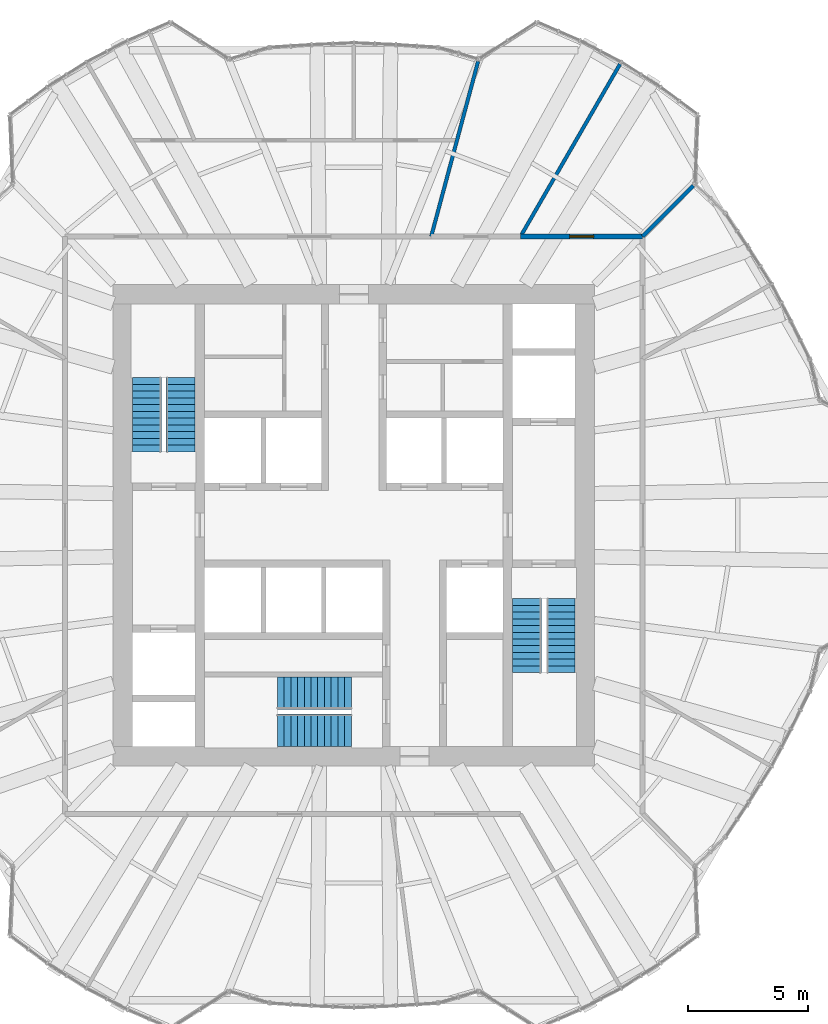
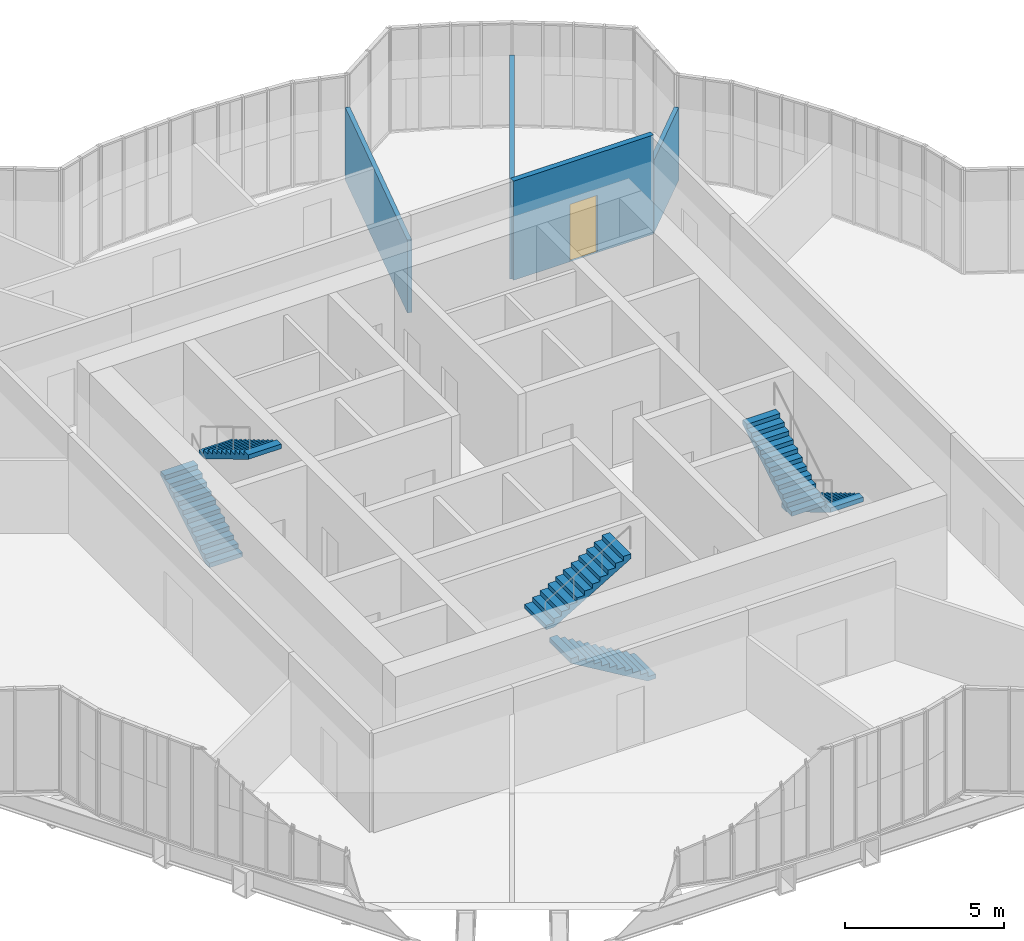
# One storey, part 23 of 24: 6 stair flights, 4 walls, 1 door, 1 opening, 3 elements without a shape of their own.
"""IFC4 building model written with IfcOpenShell, lengths in metres."""

from ifc_helpers import new_model, si_unit, direction, frame, frame_2d, origin, place, context, subcontext, project, spatial, polyline, rectangle, outline, extrude, material, layer, layer_set, type_object, element, fill, aggregate, save


model = new_model("IFC4")

# Units and contexts
model_context = context("Model", 3, precision=1e-05, world=origin(), true_north=direction((0.0, 1.0)))
body_context = subcontext(model_context, "Body", "Model", "MODEL_VIEW")
ifc_project = project(units=[si_unit("LENGTHUNIT", "METRE"), si_unit("AREAUNIT", "SQUARE_METRE"), si_unit("VOLUMEUNIT", "CUBIC_METRE"), si_unit("PLANEANGLEUNIT", "RADIAN"), si_unit("MASSUNIT", "GRAM", prefix="KILO")], contexts=[model_context])

# Site, building, storey
site_placement = place(None, origin())
site = spatial("IfcSite", under=ifc_project, at=site_placement, CompositionType="ELEMENT")
building_placement = place(site_placement, origin())
building = spatial("IfcBuilding", under=site, at=building_placement, Name="Golbaran Civic Tower", CompositionType="ELEMENT")
storey_placement = place(building_placement, frame((0.0, 0.0, 25.0)))
storey = spatial("IfcBuildingStorey", under=building, at=storey_placement, Name="L05", CompositionType="ELEMENT", Elevation=25.0)

# Wall, opening, door
ifc_material_1 = material(Name="Gypsum board on steel studs, fire-rated", Category="steel")
ifc_layer_1 = layer(ifc_material_1, 0.199951171875, Name="Gypsum board on steel studs, fire-rated")
ifc_layer_set_1 = layer_set([ifc_layer_1], Name="Gypsum board on steel studs, fire-rated")
wall_type_1 = type_object("IfcWallType", Name="CORRIDOR WALL 200", PredefinedType="PARTITIONING", material=ifc_layer_set_1)
wall_1_placement = place(storey_placement, frame((12.0, 12.0, 0.0), z_axis=(0.0, 0.0, 1.0), x_axis=(-1.0, 0.0, 0.0)))
wall_1 = element("IfcWall", 1, at=wall_1_placement, inside=storey, type_object=wall_type_1, Name="Corridor wall L05", PredefinedType="PARTITIONING", context=body_context, shape_type="SweptSolid", body=[
    extrude(rectangle(XDim=5.07177734375, YDim=0.199951171875, at=frame_2d((2.535888671875, 0.0))), origin(), (0.0, 0.0, 1.0), 3.800048828125),
])
opening_placement = place(wall_1_placement, frame((2.035888671875, 0.0, 0.0)))
opening = element("IfcOpeningElement", 2, at=opening_placement, cuts=wall_1, Name="Opening L05.07", PredefinedType="OPENING", context=body_context, shape_type="SweptSolid", body=[
    extrude(rectangle(XDim=1.0, YDim=2.199951171875, at=frame_2d((0.5, 1.10009765625))), frame((0.0, 0.10986328125, 0.0), z_axis=(0.0, -1.0, 0.0), x_axis=(1.0, 0.0, 0.0)), (0.0, 0.0, 1.0), 0.219970703125),
])
ifc_material_2 = material(Name="Timber door set in steel frame", Category="steel")
door_type = type_object("IfcDoorType", Name="OFFICE DOOR 1000x2200", OperationType="SINGLE_SWING_LEFT", PredefinedType="DOOR", material=ifc_material_2)
door_placement = place(opening_placement, origin())
door = element("IfcDoor", 3, at=door_placement, inside=storey, type_object=door_type, Name="Pantry door L05", OperationType="SINGLE_SWING_RIGHT", OverallHeight=2.199951171875, OverallWidth=1.0, PredefinedType="DOOR", context=body_context, shape_type="SweptSolid", body=[
    extrude(rectangle(XDim=1.0, YDim=2.199951171875, at=frame_2d((0.5, 1.10009765625))), frame((0.0, 0.02490234375, 0.0), z_axis=(0.0, -1.0, 0.0), x_axis=(1.0, 0.0, 0.0)), (0.0, 0.0, 1.0), 0.050048828125),
])
fill(opening, door)

# Walls
ifc_material_3 = material(Name="Gypsum board on steel studs", Category="steel")
ifc_layer_2 = layer(ifc_material_3, 0.14990234375, Name="Gypsum board on steel studs")
ifc_layer_set_2 = layer_set([ifc_layer_2], Name="Gypsum board on steel studs")
wall_type_2 = type_object("IfcWallType", Name="OFFICE PARTITION 150", PredefinedType="PARTITIONING", material=ifc_layer_set_2)
wall_2_placement = place(storey_placement, frame((12.0, 12.0, 0.0), z_axis=(0.0, 0.0, 1.0), x_axis=(0.707106781187, 0.707106781187, 0.0)))
element("IfcWall", 4, at=wall_2_placement, inside=storey, type_object=wall_type_2, Name="Partition 45 L05", PredefinedType="PARTITIONING", context=body_context, shape_type="SweptSolid", body=[
    extrude(rectangle(XDim=2.98486328125, YDim=0.14990234375, at=frame_2d((1.492431640625, 0.0))), origin(), (0.0, 0.0, 1.0), 2.7900390625),
])
wall_3_placement = place(storey_placement, frame((6.92822265625, 12.0, 0.0), z_axis=(0.0, 0.0, 1.0), x_axis=(0.499988970207, 0.866031771745, 0.0)))
element("IfcWall", 5, at=wall_3_placement, inside=storey, type_object=wall_type_2, Name="Partition 60 L05", PredefinedType="PARTITIONING", context=body_context, shape_type="SweptSolid", body=[
    extrude(rectangle(XDim=8.273193359375, YDim=0.14990234375, at=frame_2d((4.13671875, 0.0))), origin(), (0.0, 0.0, 1.0), 2.7900390625),
])
wall_4_placement = place(storey_placement, frame((3.21533203125, 12.0, 0.0), z_axis=(0.0, 0.0, 1.0), x_axis=(0.258814391452, 0.965927073219, 0.0)))
element("IfcWall", 6, at=wall_4_placement, inside=storey, type_object=wall_type_2, Name="Partition 75 L05", PredefinedType="PARTITIONING", context=body_context, shape_type="SweptSolid", body=[
    extrude(rectangle(XDim=7.5322265625, YDim=0.14990234375, at=frame_2d((3.76611328125, 0.0))), origin(), (0.0, 0.0, 1.0), 2.7900390625),
])

# Stair, stair flights
ifc_material_4 = material(Name="Concrete C35/45", Category="concrete")
stair_type_1 = type_object("IfcStairType", Name="EXIT STAIR 2600 x 7450, 4000 RISE", PredefinedType="HALF_TURN_STAIR", material=ifc_material_4)
stair_1_placement = place(storey_placement, origin())
stair_1 = element("IfcStair", 7, at=stair_1_placement, inside=storey, type_object=stair_type_1, Name="Stair S1 L05", PredefinedType="HALF_TURN_STAIR")
stair_flight_type_1 = type_object("IfcStairFlightType", Name="STAIR FLIGHT 1200 WIDE", PredefinedType="STRAIGHT", material=ifc_material_4)
stair_flight_1_placement = place(storey_placement, frame((-8.60009765625, 3.050048828125, 0.0), z_axis=(0.0, 0.0, 1.0), x_axis=(0.0, 1.0, 0.0)))
stair_flight_1 = element("IfcStairFlight", 8, at=stair_flight_1_placement, type_object=stair_flight_type_1, Name="ST26074-40 flight 1", NumberOfRisers=12, NumberOfTreads=11, PredefinedType="STRAIGHT", RiserHeight=0.166666667, TreadLength=0.28, context=body_context, shape_type="SweptSolid", body=[
    extrude(outline(polyline([(0.0, 0.0), (0.0, 0.166748046875), (0.280029296875, 0.166748046875), (0.280029296875, 0.333251953125), (0.56005859375, 0.333251953125), (0.56005859375, 0.5), (0.840087890625, 0.5), (0.840087890625, 0.666748046875), (1.1201171875, 0.666748046875), (1.1201171875, 0.833251953125), (1.39990234375, 0.833251953125), (1.39990234375, 1.0), (1.679931640625, 1.0), (1.679931640625, 1.166748046875), (1.9599609375, 1.166748046875), (1.9599609375, 1.333251953125), (2.239990234375, 1.333251953125), (2.239990234375, 1.5), (2.52001953125, 1.5), (2.52001953125, 1.666748046875), (2.800048828125, 1.666748046875), (2.800048828125, 1.833251953125), (3.080078125, 1.833251953125), (3.080078125, 2.0), (3.080078125, 1.658935546875), (0.29296875, 0.0), (0.0, 0.0)])), frame((0.0, 0.60009765625, 0.0), z_axis=(0.0, -1.0, 0.0), x_axis=(1.0, 0.0, 0.0)), (0.0, 0.0, 1.0), 1.199951171875),
])
stair_flight_2_placement = place(storey_placement, frame((-7.199951171875, 6.1298828125, 2.0), z_axis=(0.0, 0.0, 1.0), x_axis=(0.0, -1.0, 0.0)))
stair_flight_2 = element("IfcStairFlight", 9, at=stair_flight_2_placement, type_object=stair_flight_type_1, Name="ST26074-40 flight 2", NumberOfRisers=12, NumberOfTreads=11, PredefinedType="STRAIGHT", RiserHeight=0.166666667, TreadLength=0.28, context=body_context, shape_type="SweptSolid", body=[
    extrude(outline(polyline([(0.0, 0.0), (0.0, 0.166748046875), (0.280029296875, 0.166748046875), (0.280029296875, 0.333251953125), (0.56005859375, 0.333251953125), (0.56005859375, 0.5), (0.840087890625, 0.5), (0.840087890625, 0.666748046875), (1.1201171875, 0.666748046875), (1.1201171875, 0.833251953125), (1.39990234375, 0.833251953125), (1.39990234375, 1.0), (1.679931640625, 1.0), (1.679931640625, 1.166748046875), (1.9599609375, 1.166748046875), (1.9599609375, 1.333251953125), (2.239990234375, 1.333251953125), (2.239990234375, 1.5), (2.52001953125, 1.5), (2.52001953125, 1.666748046875), (2.800048828125, 1.666748046875), (2.800048828125, 1.833251953125), (3.080078125, 1.833251953125), (3.080078125, 2.0), (3.080078125, 1.658935546875), (0.29296875, 0.0), (0.0, 0.0)])), frame((0.0, 0.60009765625, 0.0), z_axis=(0.0, -1.0, 0.0), x_axis=(1.0, 0.0, 0.0)), (0.0, 0.0, 1.0), 1.199951171875),
])
aggregate(stair_1, [stair_flight_1, stair_flight_2])

stair_2_placement = place(storey_placement, origin())
stair_2 = element("IfcStair", 10, at=stair_2_placement, inside=storey, type_object=stair_type_1, Name="Stair S2 L05", PredefinedType="HALF_TURN_STAIR")
stair_flight_3_placement = place(storey_placement, frame((8.60009765625, -3.050048828125, 0.0), z_axis=(0.0, 0.0, 1.0), x_axis=(0.0, -1.0, 0.0)))
stair_flight_3 = element("IfcStairFlight", 11, at=stair_flight_3_placement, type_object=stair_flight_type_1, Name="ST26074-40 flight 1", NumberOfRisers=12, NumberOfTreads=11, PredefinedType="STRAIGHT", RiserHeight=0.166666667, TreadLength=0.28, context=body_context, shape_type="SweptSolid", body=[
    extrude(outline(polyline([(0.0, 0.0), (0.0, 0.166748046875), (0.280029296875, 0.166748046875), (0.280029296875, 0.333251953125), (0.56005859375, 0.333251953125), (0.56005859375, 0.5), (0.840087890625, 0.5), (0.840087890625, 0.666748046875), (1.1201171875, 0.666748046875), (1.1201171875, 0.833251953125), (1.39990234375, 0.833251953125), (1.39990234375, 1.0), (1.679931640625, 1.0), (1.679931640625, 1.166748046875), (1.9599609375, 1.166748046875), (1.9599609375, 1.333251953125), (2.239990234375, 1.333251953125), (2.239990234375, 1.5), (2.52001953125, 1.5), (2.52001953125, 1.666748046875), (2.800048828125, 1.666748046875), (2.800048828125, 1.833251953125), (3.080078125, 1.833251953125), (3.080078125, 2.0), (3.080078125, 1.658935546875), (0.29296875, 0.0), (0.0, 0.0)])), frame((0.0, 0.60009765625, 0.0), z_axis=(0.0, -1.0, 0.0), x_axis=(1.0, 0.0, 0.0)), (0.0, 0.0, 1.0), 1.199951171875),
])
stair_flight_4_placement = place(storey_placement, frame((7.199951171875, -6.1298828125, 2.0), z_axis=(0.0, 0.0, 1.0), x_axis=(0.0, 1.0, 0.0)))
stair_flight_4 = element("IfcStairFlight", 12, at=stair_flight_4_placement, type_object=stair_flight_type_1, Name="ST26074-40 flight 2", NumberOfRisers=12, NumberOfTreads=11, PredefinedType="STRAIGHT", RiserHeight=0.166666667, TreadLength=0.28, context=body_context, shape_type="SweptSolid", body=[
    extrude(outline(polyline([(0.0, 0.0), (0.0, 0.166748046875), (0.280029296875, 0.166748046875), (0.280029296875, 0.333251953125), (0.56005859375, 0.333251953125), (0.56005859375, 0.5), (0.840087890625, 0.5), (0.840087890625, 0.666748046875), (1.1201171875, 0.666748046875), (1.1201171875, 0.833251953125), (1.39990234375, 0.833251953125), (1.39990234375, 1.0), (1.679931640625, 1.0), (1.679931640625, 1.166748046875), (1.9599609375, 1.166748046875), (1.9599609375, 1.333251953125), (2.239990234375, 1.333251953125), (2.239990234375, 1.5), (2.52001953125, 1.5), (2.52001953125, 1.666748046875), (2.800048828125, 1.666748046875), (2.800048828125, 1.833251953125), (3.080078125, 1.833251953125), (3.080078125, 2.0), (3.080078125, 1.658935546875), (0.29296875, 0.0), (0.0, 0.0)])), frame((0.0, 0.60009765625, 0.0), z_axis=(0.0, -1.0, 0.0), x_axis=(1.0, 0.0, 0.0)), (0.0, 0.0, 1.0), 1.199951171875),
])
aggregate(stair_2, [stair_flight_3, stair_flight_4])

stair_type_2 = type_object("IfcStairType", Name="EXIT STAIR 2900 x 7400, 4000 RISE", PredefinedType="HALF_TURN_STAIR", material=ifc_material_4)
stair_3_placement = place(storey_placement, origin())
stair_3 = element("IfcStair", 13, at=stair_3_placement, inside=storey, type_object=stair_type_2, Name="Stair S3 L05", PredefinedType="HALF_TURN_STAIR")
stair_flight_type_2 = type_object("IfcStairFlightType", Name="STAIR FLIGHT 1350 WIDE", PredefinedType="STRAIGHT", material=ifc_material_4)
stair_flight_5_placement = place(storey_placement, frame((-0.10009765625, -8.52490234375, 0.0), z_axis=(0.0, 0.0, 1.0), x_axis=(-1.0, 0.0, 0.0)))
stair_flight_5 = element("IfcStairFlight", 14, at=stair_flight_5_placement, type_object=stair_flight_type_2, Name="ST29074-40 flight 1", NumberOfRisers=12, NumberOfTreads=11, PredefinedType="STRAIGHT", RiserHeight=0.166666667, TreadLength=0.28, context=body_context, shape_type="SweptSolid", body=[
    extrude(outline(polyline([(0.0, 0.0), (0.0, 0.166748046875), (0.280029296875, 0.166748046875), (0.280029296875, 0.333251953125), (0.56005859375, 0.333251953125), (0.56005859375, 0.5), (0.840087890625, 0.5), (0.840087890625, 0.666748046875), (1.1201171875, 0.666748046875), (1.1201171875, 0.833251953125), (1.39990234375, 0.833251953125), (1.39990234375, 1.0), (1.679931640625, 1.0), (1.679931640625, 1.166748046875), (1.9599609375, 1.166748046875), (1.9599609375, 1.333251953125), (2.239990234375, 1.333251953125), (2.239990234375, 1.5), (2.52001953125, 1.5), (2.52001953125, 1.666748046875), (2.800048828125, 1.666748046875), (2.800048828125, 1.833251953125), (3.080078125, 1.833251953125), (3.080078125, 2.0), (3.080078125, 1.658935546875), (0.29296875, 0.0), (0.0, 0.0)])), frame((0.0, 0.675048828125, 0.0), z_axis=(0.0, -1.0, 0.0), x_axis=(1.0, 0.0, 0.0)), (0.0, 0.0, 1.0), 1.35009765625),
])
stair_flight_6_placement = place(storey_placement, frame((-3.179931640625, -6.97509765625, 2.0), z_axis=(0.0, 0.0, 1.0), x_axis=(1.0, 0.0, 0.0)))
stair_flight_6 = element("IfcStairFlight", 15, at=stair_flight_6_placement, type_object=stair_flight_type_2, Name="ST29074-40 flight 2", NumberOfRisers=12, NumberOfTreads=11, PredefinedType="STRAIGHT", RiserHeight=0.166666667, TreadLength=0.28, context=body_context, shape_type="SweptSolid", body=[
    extrude(outline(polyline([(0.0, 0.0), (0.0, 0.166748046875), (0.280029296875, 0.166748046875), (0.280029296875, 0.333251953125), (0.56005859375, 0.333251953125), (0.56005859375, 0.5), (0.840087890625, 0.5), (0.840087890625, 0.666748046875), (1.1201171875, 0.666748046875), (1.1201171875, 0.833251953125), (1.39990234375, 0.833251953125), (1.39990234375, 1.0), (1.679931640625, 1.0), (1.679931640625, 1.166748046875), (1.9599609375, 1.166748046875), (1.9599609375, 1.333251953125), (2.239990234375, 1.333251953125), (2.239990234375, 1.5), (2.52001953125, 1.5), (2.52001953125, 1.666748046875), (2.800048828125, 1.666748046875), (2.800048828125, 1.833251953125), (3.080078125, 1.833251953125), (3.080078125, 2.0), (3.080078125, 1.658935546875), (0.29296875, 0.0), (0.0, 0.0)])), frame((0.0, 0.675048828125, 0.0), z_axis=(0.0, -1.0, 0.0), x_axis=(1.0, 0.0, 0.0)), (0.0, 0.0, 1.0), 1.35009765625),
])
aggregate(stair_3, [stair_flight_5, stair_flight_6])

save(model, "model.ifc")
